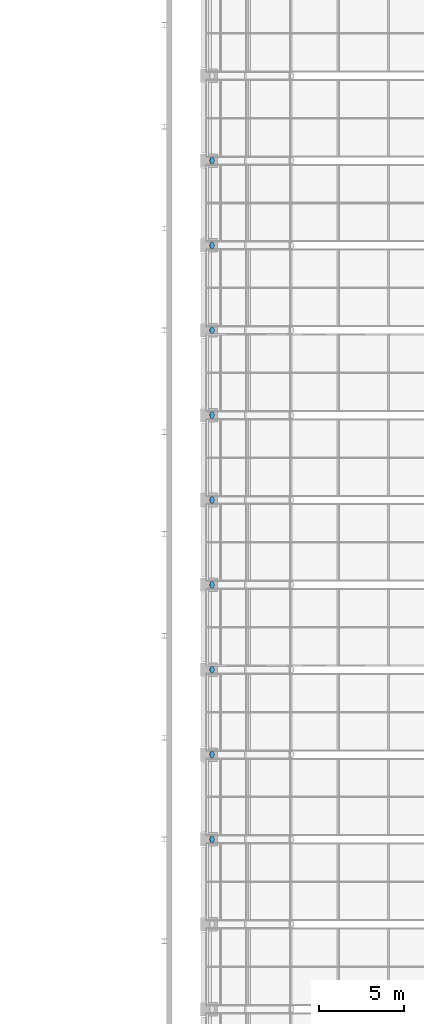
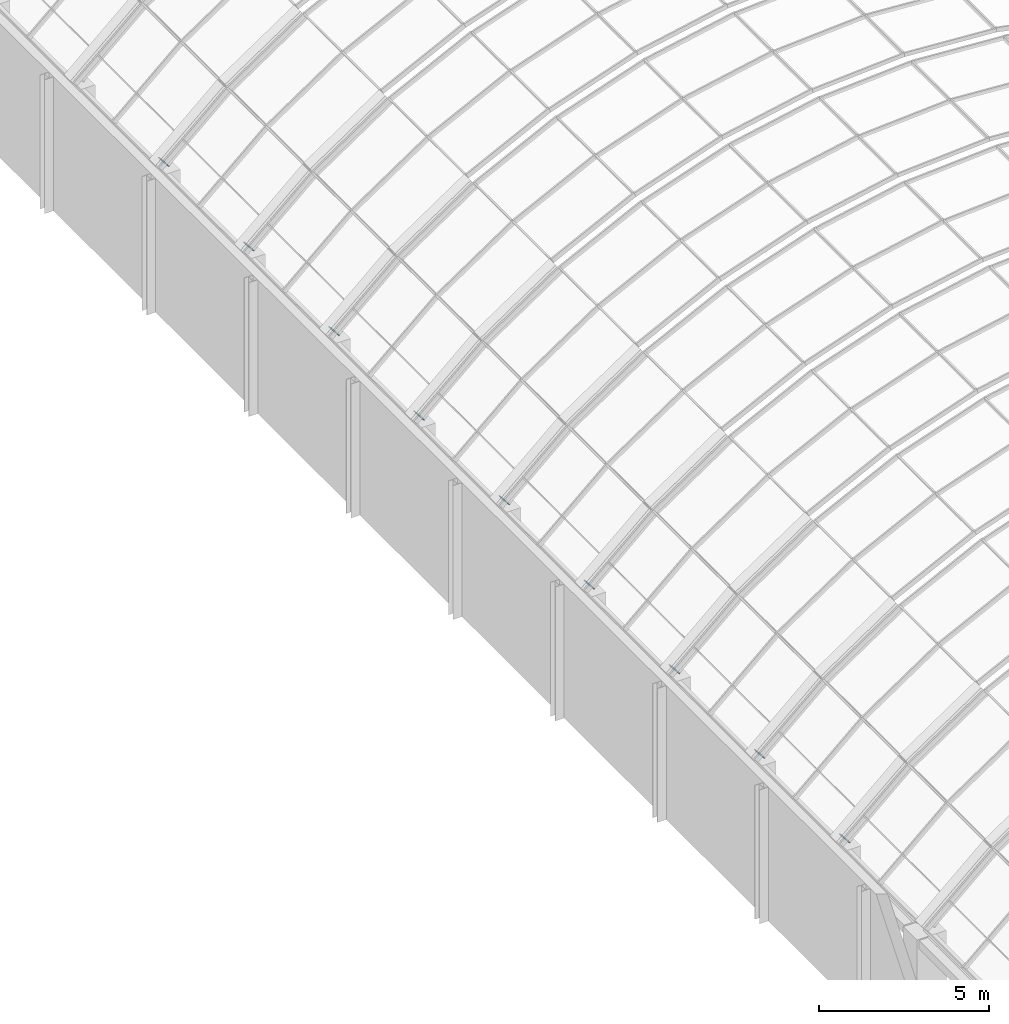
# One storey, part 165 of 182: 9 discrete accessories.
"""IFC4 building model written with IfcOpenShell, lengths in metres."""

from ifc_helpers import new_model, si_unit, direction, frame, origin, origin_2d, place, context, subcontext, project, spatial, circle, extrude, material, layer, layer_set, type_object, element, save


model = new_model("IFC4")

# Units and contexts
model_context = context("Model", 3, precision=1e-05, world=origin(), true_north=direction((0.0, 1.0)))
body_context = subcontext(model_context, "Body", "Model", "MODEL_VIEW")
ifc_project = project(units=[si_unit("LENGTHUNIT", "METRE"), si_unit("AREAUNIT", "SQUARE_METRE"), si_unit("VOLUMEUNIT", "CUBIC_METRE"), si_unit("PLANEANGLEUNIT", "RADIAN"), si_unit("MASSUNIT", "GRAM", prefix="KILO")], contexts=[model_context])

# Site, building, storey
site_placement = place(None, origin())
site = spatial("IfcSite", under=ifc_project, at=site_placement, CompositionType="ELEMENT")
building_placement = place(site_placement, origin())
building = spatial("IfcBuilding", under=site, at=building_placement, Name="Okhra Congress Centre", CompositionType="ELEMENT")
storey_placement = place(building_placement, frame((0.0, 0.0, 7.199951171875)))
storey = spatial("IfcBuildingStorey", under=building, at=storey_placement, Name="L01", CompositionType="ELEMENT", Elevation=7.199951171875)

# Discrete accessories
ifc_material = material(Name="Steel S355J2", Category="steel")
ifc_layer = layer(ifc_material, 0.011962890625)
ifc_layer_set = layer_set([ifc_layer], Name="Hollow section end cap 12 mm S355")
discrete_accessory_type = type_object("IfcDiscreteAccessoryType", Name="Hollow section end cap 12 mm S355", PredefinedType="BRACKET", material=ifc_layer_set)
for number, where, z_axis, x_axis, name in (
    (1, (155.67138671875, 156.0, 1.9521484375), (-0.746295434469, 0.0, -0.665614846958), (0.0, -1.0, 0.0), "Hollow section end cap"),
    (2, (155.67138671875, 161.0, 1.9521484375), (-0.746295434469, 0.0, -0.665614846958), (0.0, -1.0, 0.0), "Hollow section end cap"),
    (3, (155.67138671875, 166.0, 1.9521484375), (-0.746295434469, 0.0, -0.665614846958), (0.0, -1.0, 0.0), "Hollow section end cap"),
    (4, (155.67138671875, 171.0, 1.9521484375), (-0.746295434469, 0.0, -0.665614846958), (0.0, -1.0, 0.0), "Hollow section end cap"),
    (5, (155.67138671875, 176.0, 1.9521484375), (-0.746295434469, 0.0, -0.665614846958), (0.0, -1.0, 0.0), "Hollow section end cap"),
    (6, (155.67138671875, 181.0, 1.9521484375), (-0.746295434469, 0.0, -0.665614846958), (0.0, -1.0, 0.0), "Hollow section end cap"),
    (7, (155.67138671875, 186.0, 1.9521484375), (-0.746295434469, 0.0, -0.665614846958), (0.0, -1.0, 0.0), "Hollow section end cap"),
    (8, (155.67138671875, 191.0, 1.9521484375), (-0.746295434469, 0.0, -0.665614846958), (0.0, -1.0, 0.0), "Hollow section end cap"),
    (9, (155.67138671875, 196.0, 1.9521484375), (-0.746295434469, 0.0, -0.665614846958), (0.0, -1.0, 0.0), "Hollow section end cap"),
):
    element("IfcDiscreteAccessory", number, at=place(storey_placement, frame(where, z_axis=z_axis, x_axis=x_axis)), inside=storey, type_object=discrete_accessory_type, Name=name, PredefinedType="BRACKET", context=body_context, shape_type="SweptSolid", body=[
        extrude(circle(Radius=0.203125, at=origin_2d()), origin(), (0.0, 0.0, 1.0), 0.01220703125),
    ])

save(model, "model.ifc")
